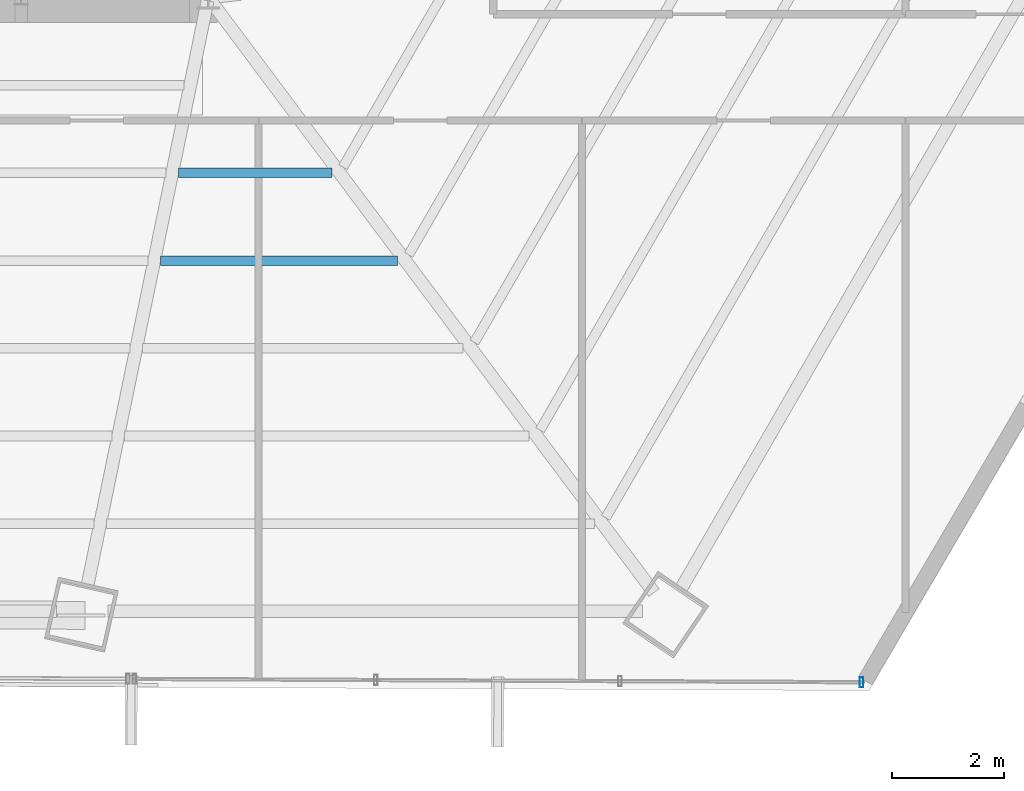
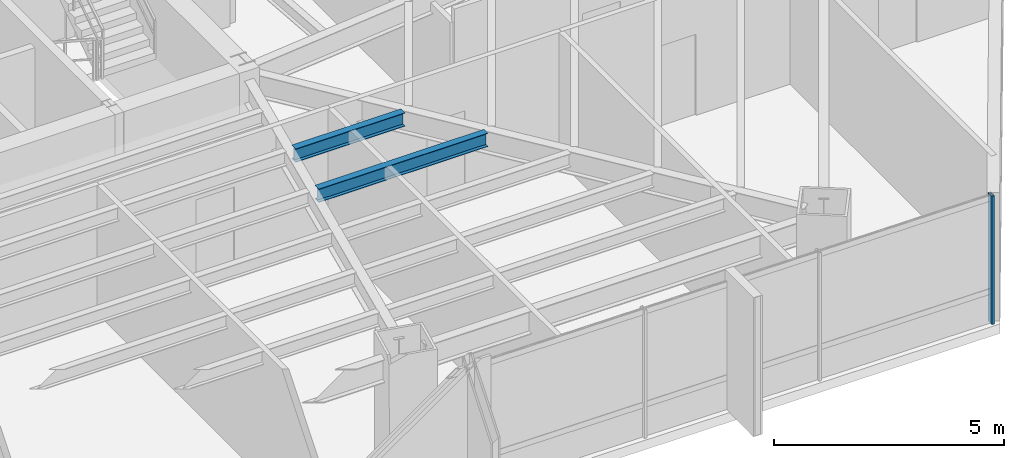
# One storey, part 17 of 37: 2 beams, 1 member, 1 element without a shape of its own.
"""IFC4 building model written with IfcOpenShell, lengths in metres."""

from ifc_helpers import new_model, si_unit, direction, frame, origin, origin_2d, place, context, subcontext, project, spatial, hollow_rectangle, i_section, extrude, source, transform, mapped, material, material_profile, profile_set, type_object, type_shapes, element, aggregate, save


model = new_model("IFC4")

# Units and contexts
model_context = context("Model", 3, precision=1e-05, world=origin(), true_north=direction((0.0, 1.0)))
body_context = subcontext(model_context, "Body", "Model", "MODEL_VIEW")
ifc_project = project(units=[si_unit("LENGTHUNIT", "METRE"), si_unit("AREAUNIT", "SQUARE_METRE"), si_unit("VOLUMEUNIT", "CUBIC_METRE"), si_unit("PLANEANGLEUNIT", "RADIAN"), si_unit("MASSUNIT", "GRAM", prefix="KILO")], contexts=[model_context])

# Site, building, storey
site_placement = place(None, origin())
site = spatial("IfcSite", under=ifc_project, at=site_placement, CompositionType="ELEMENT")
building_placement = place(site_placement, origin())
building = spatial("IfcBuilding", under=site, at=building_placement, Name="Caelisora Broadcast Tower", CompositionType="ELEMENT")
storey_placement = place(building_placement, frame((0.0, 0.0, 105.39990234375)))
storey = spatial("IfcBuildingStorey", under=building, at=storey_placement, Name="L27", CompositionType="ELEMENT", Elevation=105.39990234375)

# Beams
ifc_material_1 = material(Name="Steel Grade 350 (AS/NZS 3679.1)", Category="steel")
ifc_material_profile_1 = material_profile(ifc_material_1, i_section(OverallWidth=0.172119140625, OverallDepth=0.358642578125, WebThickness=0.008056640625, FlangeThickness=0.012939453125, at=origin_2d()), Name="Steel Grade 350 (AS/NZS 3679.1)")
ifc_profile_set_1 = profile_set([ifc_material_profile_1], Name="Steel Grade 350 (AS/NZS 3679.1)")
beam_type = type_object("IfcBeamType", Name="SB02", PredefinedType="JOIST", material=ifc_profile_set_1)
shared_shape_1 = source(origin(), body_context, "Body", "SweptSolid", [
    extrude(i_section(OverallWidth=0.172119140625, OverallDepth=0.358642578125, WebThickness=0.008056640625, FlangeThickness=0.012939453125, at=origin_2d()), origin(), (0.0, 0.0, 1.0), 2.743408203125),
])
beam_1_placement = place(storey_placement, frame((44.968505859375, 14.260986328125, 3.220703125), z_axis=(1.0, 0.0, 0.0), x_axis=(0.0, 1.0, 0.0)))
element("IfcBeam", 1, at=beam_1_placement, inside=storey, type_object=beam_type, Name="L27 beam SB02", PredefinedType="JOIST", context=body_context, shape_type="MappedRepresentation", body=[
    mapped(shared_shape_1, transform((0.0, 0.0, 0.0), scale=1.0)),
])
shared_shape_2 = source(origin(), body_context, "Body", "SweptSolid", [
    extrude(i_section(OverallWidth=0.172119140625, OverallDepth=0.358642578125, WebThickness=0.008056640625, FlangeThickness=0.012939453125, at=origin_2d()), origin(), (0.0, 0.0, 1.0), 4.2412109375),
])
type_shapes(beam_type, [shared_shape_1, shared_shape_2])
beam_2_placement = place(storey_placement, frame((44.646240234375, 12.69140625, 3.220703125), z_axis=(1.0, 0.0, 0.0), x_axis=(0.0, 1.0, 0.0)))
element("IfcBeam", 2, at=beam_2_placement, inside=storey, type_object=beam_type, Name="L27 beam SB02", PredefinedType="JOIST", context=body_context, shape_type="MappedRepresentation", body=[
    mapped(shared_shape_2, transform((0.0, 0.0, 0.0), scale=1.0)),
])

# Curtain wall, member
ifc_material_2 = material(Name="Unitised Aluminium and Low-E Glass Curtain Wall", Category="glass")
curtain_wall_type = type_object("IfcCurtainWallType", Name="CW-Z2", PredefinedType="NOTDEFINED", material=ifc_material_2)
curtain_wall_placement = place(storey_placement, origin())
curtain_wall = element("IfcCurtainWall", 3, at=curtain_wall_placement, inside=storey, type_object=curtain_wall_type, Name="L27 curtain wall CW-Z2", PredefinedType="NOTDEFINED")
ifc_material_3 = material(Name="Aluminium 6063-T6 Anodised Terracotta Bronze", Category="aluminium")
ifc_material_profile_2 = material_profile(ifc_material_3, hollow_rectangle(XDim=0.06494140625, YDim=0.179931640625, WallThickness=0.00341796875, at=origin_2d()), Name="Aluminium 6063-T6 Anodised Terracotta Bronze")
ifc_profile_set_2 = profile_set([ifc_material_profile_2], Name="Aluminium 6063-T6 Anodised Terracotta Bronze")
member_type = type_object("IfcMemberType", Name="CWM-02", PredefinedType="MULLION", material=ifc_profile_set_2)
shared_shape_3 = source(origin(), body_context, "Body", "SweptSolid", [
    extrude(hollow_rectangle(XDim=0.06494140625, YDim=0.179931640625, WallThickness=0.00341796875, at=origin_2d()), origin(), (0.0, 0.0, 1.0), 3.400146484375),
])
type_shapes(member_type, [shared_shape_3])
member_placement = place(storey_placement, frame((57.195068359375, 5.144287109375, 0.0), z_axis=(0.0, 0.0, 1.0), x_axis=(1.0, 0.0, 0.0)))
member = element("IfcMember", 4, at=member_placement, type_object=member_type, Name="L27-CW-B05 mullion #0", PredefinedType="MULLION", context=body_context, shape_type="MappedRepresentation", body=[
    mapped(shared_shape_3, transform((0.0, 0.0, 0.0), scale=1.0)),
])
aggregate(curtain_wall, [member])

save(model, "model.ifc")
